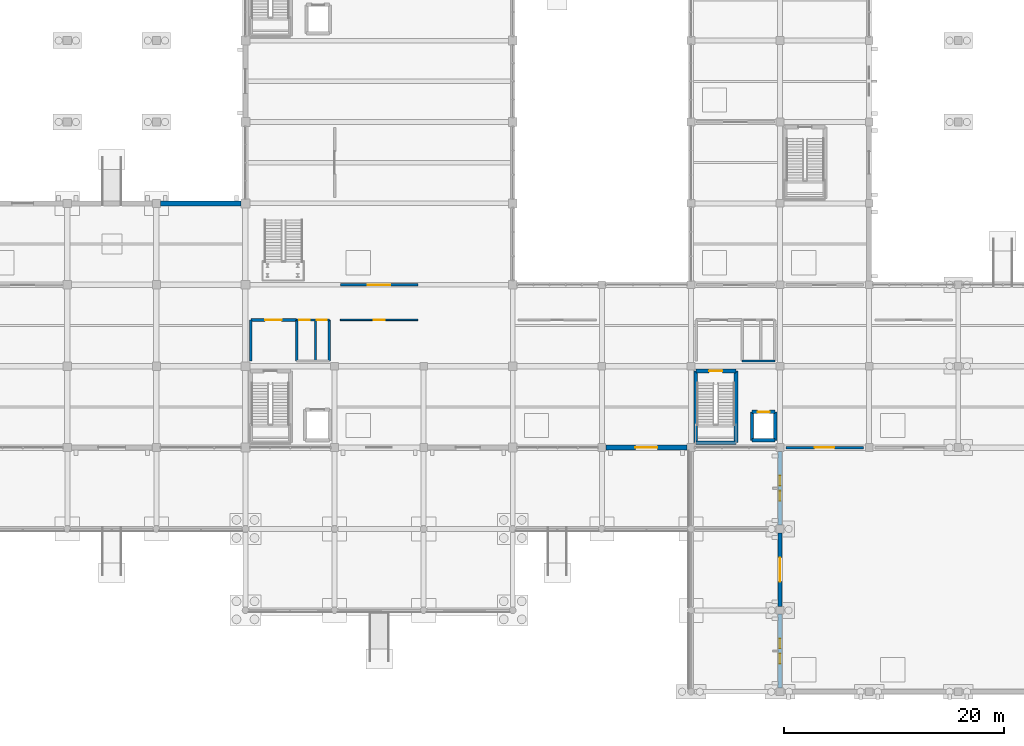
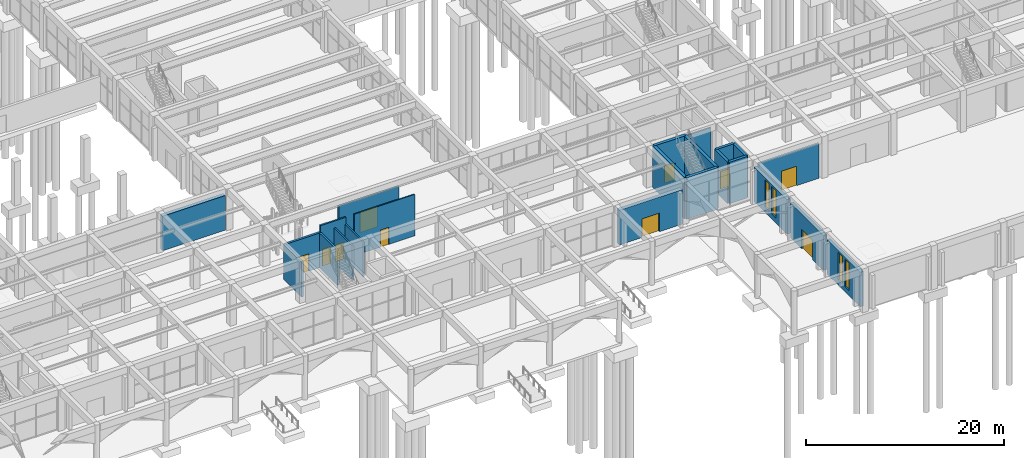
# One storey, part 125 of 140: 23 walls, 10 doors, 4 windows, 14 openings.
"""IFC4 building model written with IfcOpenShell, lengths in metres."""

from ifc_helpers import new_model, si_unit, direction, frame, frame_2d, origin, place, context, subcontext, project, spatial, rectangle, extrude, material, layer, layer_set, type_object, element, fill, save


model = new_model("IFC4")

# Units and contexts
model_context = context("Model", 3, precision=1e-05, world=origin(), true_north=direction((0.0, 1.0)))
body_context = subcontext(model_context, "Body", "Model", "MODEL_VIEW")
ifc_project = project(units=[si_unit("LENGTHUNIT", "METRE"), si_unit("AREAUNIT", "SQUARE_METRE"), si_unit("VOLUMEUNIT", "CUBIC_METRE"), si_unit("PLANEANGLEUNIT", "RADIAN"), si_unit("MASSUNIT", "GRAM", prefix="KILO")], contexts=[model_context])

# Site, building, storey
site_placement = place(None, origin())
site = spatial("IfcSite", under=ifc_project, at=site_placement, CompositionType="ELEMENT")
building_placement = place(site_placement, origin())
building = spatial("IfcBuilding", under=site, at=building_placement, Name="Cimatlan Art Gallery", CompositionType="ELEMENT")
storey_placement = place(building_placement, origin())
storey = spatial("IfcBuildingStorey", under=building, at=storey_placement, Name="L00", CompositionType="ELEMENT", Elevation=0.0)

# Walls
ifc_material_1 = material(Name="Concrete C40/50", Category="concrete")
ifc_layer_1 = layer(ifc_material_1, 0.31005859375)
ifc_layer_set_1 = layer_set([ifc_layer_1], Name="Concrete C40/50")
wall_type_1 = type_object("IfcWallType", Name="W-CORE-310", PredefinedType="SHEAR", material=ifc_layer_set_1)
wall_1_placement = place(storey_placement, frame((120.949951171875, 24.550048828125, 0.0), z_axis=(0.0, 0.0, 1.0), x_axis=(0.0, 1.0, 0.0)))
element("IfcWall", 1, at=wall_1_placement, inside=storey, type_object=wall_type_1, Name="WL-SHFT-C4-L00-LW", PredefinedType="SHEAR", context=body_context, shape_type="SweptSolid", body=[
    extrude(rectangle(XDim=2.599853515625, YDim=0.31005859375, at=frame_2d((1.2998046875, 0.0))), origin(), (0.0, 0.0, 1.0), 5.1298828125),
])
wall_2_placement = place(storey_placement, frame((120.949951171875, 24.550048828125, 0.0), z_axis=(0.0, 0.0, 1.0), x_axis=(1.0, 0.0, 0.0)))
element("IfcWall", 2, at=wall_2_placement, inside=storey, type_object=wall_type_1, Name="WL-SHFT-C4-L00-LS", PredefinedType="SHEAR", context=body_context, shape_type="SweptSolid", body=[
    extrude(rectangle(XDim=2.10009765625, YDim=0.31005859375, at=frame_2d((1.050048828125, 0.0))), origin(), (0.0, 0.0, 1.0), 5.1298828125),
])
wall_3_placement = place(storey_placement, frame((123.050048828125, 24.550048828125, 0.0), z_axis=(0.0, 0.0, 1.0), x_axis=(0.0, 1.0, 0.0)))
element("IfcWall", 3, at=wall_3_placement, inside=storey, type_object=wall_type_1, Name="WL-SHFT-C4-L00-LE", PredefinedType="SHEAR", context=body_context, shape_type="SweptSolid", body=[
    extrude(rectangle(XDim=2.599853515625, YDim=0.31005859375, at=frame_2d((1.2998046875, 0.0))), origin(), (0.0, 0.0, 1.0), 5.1298828125),
])

# Wall, opening, door
wall_4_placement = place(storey_placement, frame((120.949951171875, 27.14990234375, 0.0), z_axis=(0.0, 0.0, 1.0), x_axis=(1.0, 0.0, 0.0)))
wall_4 = element("IfcWall", 4, at=wall_4_placement, inside=storey, type_object=wall_type_1, Name="WL-SHFT-C4-L00-LN", PredefinedType="SHEAR", context=body_context, shape_type="SweptSolid", body=[
    extrude(rectangle(XDim=2.10009765625, YDim=0.31005859375, at=frame_2d((1.050048828125, 0.0))), origin(), (0.0, 0.0, 1.0), 5.1298828125),
])
opening_1_placement = place(wall_4_placement, frame((0.5, 0.0, 0.0)))
opening_1 = element("IfcOpeningElement", 5, at=opening_1_placement, cuts=wall_4, Name="Opening LD-C4-L00", PredefinedType="OPENING", context=body_context, shape_type="SweptSolid", body=[
    extrude(rectangle(XDim=1.10009765625, YDim=2.14990234375, at=frame_2d((0.550048828125, 1.074951171875))), frame((0.0, 0.1650390625, 0.0), z_axis=(0.0, -1.0, 0.0), x_axis=(1.0, 0.0, 0.0)), (0.0, 0.0, 1.0), 0.330078125),
])
ifc_material_2 = material(Name="Brushed bronze sliding lift landing door")
door_type_1 = type_object("IfcDoorType", Name="LD-PS-1100", OperationType="NOTDEFINED", PredefinedType="DOOR", material=ifc_material_2)
door_1_placement = place(opening_1_placement, origin())
door_1 = element("IfcDoor", 6, at=door_1_placement, inside=storey, type_object=door_type_1, Name="LD-PL-01-L00", OperationType="SLIDING_TO_RIGHT", OverallHeight=2.14990234375, OverallWidth=1.10009765625, PredefinedType="DOOR", context=body_context, shape_type="SweptSolid", body=[
    extrude(rectangle(XDim=1.10009765625, YDim=2.14990234375, at=frame_2d((0.550048828125, 1.074951171875))), frame((0.0, 0.02490234375, 0.0), z_axis=(0.0, -1.0, 0.0), x_axis=(1.0, 0.0, 0.0)), (0.0, 0.0, 1.0), 0.050048828125),
])
fill(opening_1, door_1)

# Walls
ifc_layer_2 = layer(ifc_material_1, 0.35009765625)
ifc_layer_set_2 = layer_set([ifc_layer_2], Name="Concrete C40/50")
wall_type_2 = type_object("IfcWallType", Name="W-CORE-350", PredefinedType="SHEAR", material=ifc_layer_set_2)
wall_5_placement = place(storey_placement, frame((115.840087890625, 24.340087890625, 0.0), z_axis=(0.0, 0.0, 1.0), x_axis=(0.0, 1.0, 0.0)))
element("IfcWall", 7, at=wall_5_placement, inside=storey, type_object=wall_type_2, Name="WL-CORE-C4-L00-SW", PredefinedType="SHEAR", context=body_context, shape_type="SweptSolid", body=[
    extrude(rectangle(XDim=6.52001953125, YDim=0.35009765625, at=frame_2d((3.260009765625, 0.0))), origin(), (0.0, 0.0, 1.0), 5.1298828125),
])
wall_6_placement = place(storey_placement, frame((115.840087890625, 24.340087890625, 0.0), z_axis=(0.0, 0.0, 1.0), x_axis=(1.0, 0.0, 0.0)))
element("IfcWall", 8, at=wall_6_placement, inside=storey, type_object=wall_type_2, Name="WL-CORE-C4-L00-SS", PredefinedType="SHEAR", context=body_context, shape_type="SweptSolid", body=[
    extrude(rectangle(XDim=3.639892578125, YDim=0.35009765625, at=frame_2d((1.81982421875, 0.0))), origin(), (0.0, 0.0, 1.0), 5.1298828125),
])
wall_7_placement = place(storey_placement, frame((119.47998046875, 24.340087890625, 0.0), z_axis=(0.0, 0.0, 1.0), x_axis=(0.0, 1.0, 0.0)))
element("IfcWall", 9, at=wall_7_placement, inside=storey, type_object=wall_type_2, Name="WL-CORE-C4-L00-SE", PredefinedType="SHEAR", context=body_context, shape_type="SweptSolid", body=[
    extrude(rectangle(XDim=6.52001953125, YDim=0.35009765625, at=frame_2d((3.260009765625, 0.0))), origin(), (0.0, 0.0, 1.0), 5.1298828125),
])

# Wall, opening, door
wall_8_placement = place(storey_placement, frame((115.840087890625, 30.860107421875, 0.0), z_axis=(0.0, 0.0, 1.0), x_axis=(1.0, 0.0, 0.0)))
wall_8 = element("IfcWall", 10, at=wall_8_placement, inside=storey, type_object=wall_type_2, Name="WL-CORE-C4-L00-SN", PredefinedType="SHEAR", context=body_context, shape_type="SweptSolid", body=[
    extrude(rectangle(XDim=3.639892578125, YDim=0.35009765625, at=frame_2d((1.81982421875, 0.0))), origin(), (0.0, 0.0, 1.0), 5.1298828125),
])
opening_2_placement = place(wall_8_placement, frame((1.219970703125, 0.0, 0.0)))
opening_2 = element("IfcOpeningElement", 11, at=opening_2_placement, cuts=wall_8, Name="Opening FD-C4-L00", PredefinedType="OPENING", context=body_context, shape_type="SweptSolid", body=[
    extrude(rectangle(XDim=1.199951171875, YDim=2.14990234375, at=frame_2d((0.60009765625, 1.074951171875))), frame((0.0, 0.18505859375, 0.0), z_axis=(0.0, -1.0, 0.0), x_axis=(1.0, 0.0, 0.0)), (0.0, 0.0, 1.0), 0.3701171875),
])
ifc_material_3 = material(Name="Fire-resisting steel acoustic stair door", Category="steel")
door_type_2 = type_object("IfcDoorType", Name="FD-ST-1200", OperationType="NOTDEFINED", PredefinedType="DOOR", material=ifc_material_3)
door_2_placement = place(opening_2_placement, origin())
door_2 = element("IfcDoor", 12, at=door_2_placement, inside=storey, type_object=door_type_2, Name="DR-C4-L00-ST", OperationType="SINGLE_SWING_LEFT", OverallHeight=2.14990234375, OverallWidth=1.199951171875, PredefinedType="DOOR", context=body_context, shape_type="SweptSolid", body=[
    extrude(rectangle(XDim=1.199951171875, YDim=2.14990234375, at=frame_2d((0.60009765625, 1.074951171875))), frame((0.0, 0.02490234375, 0.0), z_axis=(0.0, -1.0, 0.0), x_axis=(1.0, 0.0, 0.0)), (0.0, 0.0, 1.0), 0.050048828125),
])
fill(opening_2, door_2)

ifc_material_4 = material(Name="Precast concrete C40/50", Category="concrete")
ifc_layer_3 = layer(ifc_material_4, 0.2451171875)
ifc_layer_set_3 = layer_set([ifc_layer_3], Name="Precast concrete C40/50")
wall_type_3 = type_object("IfcWallType", Name="W-FFL-245", PredefinedType="PARTITIONING", material=ifc_layer_set_3)
wall_9_placement = place(storey_placement, frame((75.3798828125, 35.5, 0.0), z_axis=(0.0, 0.0, 1.0), x_axis=(1.0, 0.0, 0.0)))
wall_9 = element("IfcWall", 13, at=wall_9_placement, inside=storey, type_object=wall_type_3, Name="WL-LOB-C3-L00-N", PredefinedType="PARTITIONING", context=body_context, shape_type="SweptSolid", body=[
    extrude(rectangle(XDim=4.170166015625, YDim=0.2451171875, at=frame_2d((2.0849609375, 0.0))), origin(), (0.0, 0.0, 1.0), 4.27490234375),
])
opening_3_placement = place(wall_9_placement, frame((1.300048828125, 0.0, 0.0)))
opening_3 = element("IfcOpeningElement", 14, at=opening_3_placement, cuts=wall_9, Name="Opening FDL-C3-L00", PredefinedType="OPENING", context=body_context, shape_type="SweptSolid", body=[
    extrude(rectangle(XDim=1.5, YDim=2.14990234375, at=frame_2d((0.75, 1.074951171875))), frame((0.0, 0.132568359375, 0.0), z_axis=(0.0, -1.0, 0.0), x_axis=(1.0, 0.0, 0.0)), (0.0, 0.0, 1.0), 0.26513671875),
])
ifc_material_5 = material(Name="Fire-resisting double-seal lobby door")
door_type_3 = type_object("IfcDoorType", Name="FD-LB-1500", OperationType="NOTDEFINED", PredefinedType="DOOR", material=ifc_material_5)
door_3_placement = place(opening_3_placement, origin())
door_3 = element("IfcDoor", 15, at=door_3_placement, inside=storey, type_object=door_type_3, Name="DR-LOB-C3-L00", OperationType="SINGLE_SWING_RIGHT", OverallHeight=2.14990234375, OverallWidth=1.5, PredefinedType="DOOR", context=body_context, shape_type="SweptSolid", body=[
    extrude(rectangle(XDim=1.5, YDim=2.14990234375, at=frame_2d((0.75, 1.074951171875))), frame((0.0, 0.02490234375, 0.0), z_axis=(0.0, -1.0, 0.0), x_axis=(1.0, 0.0, 0.0)), (0.0, 0.0, 1.0), 0.050048828125),
])
fill(opening_3, door_3)

# Walls
for number, where, z_axis, x_axis, name in (
    (16, (75.3798828125, 31.780029296875, 0.0), (0.0, 0.0, 1.0), (0.0, 1.0, 0.0), "WL-LOB-C3-L00-W"),
    (17, (79.550048828125, 31.780029296875, 0.0), (0.0, 0.0, 1.0), (0.0, 1.0, 0.0), "WL-LOB-C3-L00-M"),
):
    element("IfcWall", number, at=place(storey_placement, frame(where, z_axis=z_axis, x_axis=x_axis)), inside=storey, type_object=wall_type_3, Name=name, PredefinedType="PARTITIONING", context=body_context, shape_type="SweptSolid", body=[
        extrude(rectangle(XDim=3.719970703125, YDim=0.2451171875, at=frame_2d((1.85986328125, 0.0))), origin(), (0.0, 0.0, 1.0), 4.27490234375),
    ])

# Wall, opening, door
ifc_material_6 = material(Name="Acoustic gypsum and steel stud partition", Category="steel")
ifc_layer_4 = layer(ifc_material_6, 0.22509765625)
ifc_layer_set_4 = layer_set([ifc_layer_4], Name="Acoustic gypsum and steel stud partition")
wall_type_4 = type_object("IfcWallType", Name="W-GAL-225", PredefinedType="PARTITIONING", material=ifc_layer_set_4)
wall_10_placement = place(storey_placement, frame((83.52001953125, 38.699951171875, 0.0), z_axis=(0.0, 0.0, 1.0), x_axis=(1.0, 0.0, 0.0)))
wall_10 = element("IfcWall", 18, at=wall_10_placement, inside=storey, type_object=wall_type_4, Name="WL-RM-L00-GAL-C1", PredefinedType="PARTITIONING", context=body_context, shape_type="SweptSolid", body=[
    extrude(rectangle(XDim=7.06005859375, YDim=0.22509765625, at=frame_2d((3.530029296875, 0.0))), origin(), (0.0, 0.0, 1.0), 4.197998046875),
])
opening_4_placement = place(wall_10_placement, frame((2.5048828125, 0.0, 0.0)))
opening_4 = element("IfcOpeningElement", 19, at=opening_4_placement, cuts=wall_10, Name="Opening DI-0182", PredefinedType="OPENING", context=body_context, shape_type="SweptSolid", body=[
    extrude(rectangle(XDim=2.050048828125, YDim=2.550048828125, at=frame_2d((1.02490234375, 1.27490234375))), frame((0.0, 0.12255859375, 0.0), z_axis=(0.0, -1.0, 0.0), x_axis=(1.0, 0.0, 0.0)), (0.0, 0.0, 1.0), 0.2451171875),
])
ifc_material_7 = material(Name="European oak and bronze gallery portal door")
door_type_4 = type_object("IfcDoorType", Name="DI-GL-2050", OperationType="NOTDEFINED", PredefinedType="DOOR", material=ifc_material_7)
door_4_placement = place(opening_4_placement, origin())
door_4 = element("IfcDoor", 20, at=door_4_placement, inside=storey, type_object=door_type_4, Name="DR-RM-L00-GAL-C1", OperationType="SINGLE_SWING_RIGHT", OverallHeight=2.550048828125, OverallWidth=2.050048828125, PredefinedType="DOOR", context=body_context, shape_type="SweptSolid", body=[
    extrude(rectangle(XDim=2.050048828125, YDim=2.550048828125, at=frame_2d((1.02490234375, 1.27490234375))), frame((0.0, 0.02490234375, 0.0), z_axis=(0.0, -1.0, 0.0), x_axis=(1.0, 0.0, 0.0)), (0.0, 0.0, 1.0), 0.050048828125),
])
fill(opening_4, door_4)

wall_11_placement = place(storey_placement, frame((124.02001953125, 23.89990234375, 0.0), z_axis=(0.0, 0.0, 1.0), x_axis=(1.0, 0.0, 0.0)))
wall_11 = element("IfcWall", 21, at=wall_11_placement, inside=storey, type_object=wall_type_4, Name="WL-RM-L00-AUD-FOY", PredefinedType="PARTITIONING", context=body_context, shape_type="SweptSolid", body=[
    extrude(rectangle(XDim=7.06005859375, YDim=0.22509765625, at=frame_2d((3.530029296875, 0.0))), origin(), (0.0, 0.0, 1.0), 4.27490234375),
])
opening_5_placement = place(wall_11_placement, frame((2.6298828125, 0.0, 0.0)))
opening_5 = element("IfcOpeningElement", 22, at=opening_5_placement, cuts=wall_11, Name="Opening DI-0187", PredefinedType="OPENING", context=body_context, shape_type="SweptSolid", body=[
    extrude(rectangle(XDim=1.800048828125, YDim=2.39990234375, at=frame_2d((0.89990234375, 1.199951171875))), frame((0.0, 0.12255859375, 0.0), z_axis=(0.0, -1.0, 0.0), x_axis=(1.0, 0.0, 0.0)), (0.0, 0.0, 1.0), 0.2451171875),
])
ifc_material_8 = material(Name="Acoustic timber auditorium door", Category="wood")
door_type_5 = type_object("IfcDoorType", Name="DI-AU-1800", OperationType="NOTDEFINED", PredefinedType="DOOR", material=ifc_material_8)
door_5_placement = place(opening_5_placement, origin())
door_5 = element("IfcDoor", 23, at=door_5_placement, inside=storey, type_object=door_type_5, Name="DR-RM-L00-AUD-FOY", OperationType="SINGLE_SWING_LEFT", OverallHeight=2.39990234375, OverallWidth=1.800048828125, PredefinedType="DOOR", context=body_context, shape_type="SweptSolid", body=[
    extrude(rectangle(XDim=1.800048828125, YDim=2.39990234375, at=frame_2d((0.89990234375, 1.199951171875))), frame((0.0, 0.02490234375, 0.0), z_axis=(0.0, -1.0, 0.0), x_axis=(1.0, 0.0, 0.0)), (0.0, 0.0, 1.0), 0.050048828125),
])
fill(opening_5, door_5)

ifc_material_9 = material(Name="Fire-rated gypsum board and steel stud partition", Category="steel")
ifc_layer_5 = layer(ifc_material_9, 0.139892578125)
ifc_layer_set_5 = layer_set([ifc_layer_5], Name="Fire-rated gypsum board and steel stud partition")
wall_type_5 = type_object("IfcWallType", Name="W-OFF-140", PredefinedType="PARTITIONING", material=ifc_layer_set_5)
wall_12_placement = place(storey_placement, frame((83.52001953125, 35.5, 0.0), z_axis=(0.0, 0.0, 1.0), x_axis=(1.0, 0.0, 0.0)))
wall_12 = element("IfcWall", 24, at=wall_12_placement, inside=storey, type_object=wall_type_5, Name="WL-RM-L00-SHP-01", PredefinedType="PARTITIONING", context=body_context, shape_type="SweptSolid", body=[
    extrude(rectangle(XDim=7.06005859375, YDim=0.139892578125, at=frame_2d((3.530029296875, 0.0))), origin(), (0.0, 0.0, 1.0), 5.1201171875),
])
opening_6_placement = place(wall_12_placement, frame((3.030029296875, 0.0, 0.0)))
opening_6 = element("IfcOpeningElement", 25, at=opening_6_placement, cuts=wall_12, Name="Opening DI-0185", PredefinedType="OPENING", context=body_context, shape_type="SweptSolid", body=[
    extrude(rectangle(XDim=1.0, YDim=2.1201171875, at=frame_2d((0.5, 1.06005859375))), frame((0.0, 0.080078125, 0.0), z_axis=(0.0, -1.0, 0.0), x_axis=(1.0, 0.0, 0.0)), (0.0, 0.0, 1.0), 0.159912109375),
])
ifc_material_10 = material(Name="Timber curatorial office door", Category="wood")
door_type_6 = type_object("IfcDoorType", Name="DI-OF-1000", OperationType="NOTDEFINED", PredefinedType="DOOR", material=ifc_material_10)
door_6_placement = place(opening_6_placement, origin())
door_6 = element("IfcDoor", 26, at=door_6_placement, inside=storey, type_object=door_type_6, Name="DR-RM-L00-SHP-01", OperationType="SINGLE_SWING_LEFT", OverallHeight=2.1201171875, OverallWidth=1.0, PredefinedType="DOOR", context=body_context, shape_type="SweptSolid", body=[
    extrude(rectangle(XDim=1.0, YDim=2.1201171875, at=frame_2d((0.5, 1.06005859375))), frame((0.0, 0.02490234375, 0.0), z_axis=(0.0, -1.0, 0.0), x_axis=(1.0, 0.0, 0.0)), (0.0, 0.0, 1.0), 0.050048828125),
])
fill(opening_6, door_6)

# Walls
ifc_material_11 = material(Name="Moisture-resistant fire-rated plumbing wall")
ifc_layer_6 = layer(ifc_material_11, 0.195068359375)
ifc_layer_set_6 = layer_set([ifc_layer_6], Name="Moisture-resistant fire-rated plumbing wall")
wall_type_6 = type_object("IfcWallType", Name="W-PLM-195", PredefinedType="PARTITIONING", material=ifc_layer_set_6)
for number, where, z_axis, x_axis, name in (
    (27, (81.25, 31.780029296875, 0.0), (0.0, 0.0, 1.0), (0.0, 1.0, 0.0), "WL-LOB-C3-L00-D"),
    (28, (82.52001953125, 31.780029296875, 0.0), (0.0, 0.0, 1.0), (0.0, 1.0, 0.0), "WL-LOB-C3-L00-E"),
):
    element("IfcWall", number, at=place(storey_placement, frame(where, z_axis=z_axis, x_axis=x_axis)), inside=storey, type_object=wall_type_6, Name=name, PredefinedType="PARTITIONING", context=body_context, shape_type="SweptSolid", body=[
        extrude(rectangle(XDim=3.719970703125, YDim=0.195068359375, at=frame_2d((1.85986328125, 0.0))), origin(), (0.0, 0.0, 1.0), 4.27490234375),
    ])

# Wall, openings, doors
wall_13_placement = place(storey_placement, frame((79.550048828125, 35.5, 0.0), z_axis=(0.0, 0.0, 1.0), x_axis=(1.0, 0.0, 0.0)))
wall_13 = element("IfcWall", 29, at=wall_13_placement, inside=storey, type_object=wall_type_6, Name="WL-WC-C3-L00-N", PredefinedType="PARTITIONING", context=body_context, shape_type="SweptSolid", body=[
    extrude(rectangle(XDim=2.969970703125, YDim=0.195068359375, at=frame_2d((1.48486328125, 0.0))), origin(), (0.0, 0.0, 1.0), 5.1201171875),
])
opening_7_placement = place(wall_13_placement, frame((0.25, 0.0, 0.0)))
opening_7 = element("IfcOpeningElement", 30, at=opening_7_placement, cuts=wall_13, Name="Opening DWC-C3A-L00", PredefinedType="OPENING", context=body_context, shape_type="SweptSolid", body=[
    extrude(rectangle(XDim=0.949951171875, YDim=2.10009765625, at=frame_2d((0.47509765625, 1.050048828125))), frame((0.0, 0.107421875, 0.0), z_axis=(0.0, -1.0, 0.0), x_axis=(1.0, 0.0, 0.0)), (0.0, 0.0, 1.0), 0.215087890625),
])
opening_8_placement = place(wall_13_placement, frame((1.820068359375, 0.0, 0.0)))
opening_8 = element("IfcOpeningElement", 31, at=opening_8_placement, cuts=wall_13, Name="Opening DWC-C3B-L00", PredefinedType="OPENING", context=body_context, shape_type="SweptSolid", body=[
    extrude(rectangle(XDim=0.89990234375, YDim=2.10009765625, at=frame_2d((0.449951171875, 1.050048828125))), frame((0.0, 0.107421875, 0.0), z_axis=(0.0, -1.0, 0.0), x_axis=(1.0, 0.0, 0.0)), (0.0, 0.0, 1.0), 0.215087890625),
])
ifc_material_12 = material(Name="Sanitary room door")
door_type_7 = type_object("IfcDoorType", Name="DI-WC-0900", OperationType="NOTDEFINED", PredefinedType="DOOR", material=ifc_material_12)
door_7_placement = place(opening_8_placement, origin())
door_7 = element("IfcDoor", 32, at=door_7_placement, inside=storey, type_object=door_type_7, Name="DR-PWC-C3-L00", OperationType="SINGLE_SWING_RIGHT", OverallHeight=2.10009765625, OverallWidth=0.89990234375, PredefinedType="DOOR", context=body_context, shape_type="SweptSolid", body=[
    extrude(rectangle(XDim=0.89990234375, YDim=2.10009765625, at=frame_2d((0.449951171875, 1.050048828125))), frame((0.0, 0.02490234375, 0.0), z_axis=(0.0, -1.0, 0.0), x_axis=(1.0, 0.0, 0.0)), (0.0, 0.0, 1.0), 0.050048828125),
])
fill(opening_8, door_7)
ifc_material_13 = material(Name="Accessible sanitary room door")
door_type_8 = type_object("IfcDoorType", Name="DI-WC-0950", OperationType="NOTDEFINED", PredefinedType="DOOR", material=ifc_material_13)
door_8_placement = place(opening_7_placement, origin())
door_8 = element("IfcDoor", 33, at=door_8_placement, inside=storey, type_object=door_type_8, Name="DR-AWC-C3-L00", OperationType="SINGLE_SWING_LEFT", OverallHeight=2.10009765625, OverallWidth=0.949951171875, PredefinedType="DOOR", context=body_context, shape_type="SweptSolid", body=[
    extrude(rectangle(XDim=0.949951171875, YDim=2.10009765625, at=frame_2d((0.47509765625, 1.050048828125))), frame((0.0, 0.02490234375, 0.0), z_axis=(0.0, -1.0, 0.0), x_axis=(1.0, 0.0, 0.0)), (0.0, 0.0, 1.0), 0.050048828125),
])
fill(opening_7, door_8)

# Wall
wall_14_placement = place(storey_placement, frame((120.050048828125, 31.780029296875, 0.0), z_axis=(0.0, 0.0, 1.0), x_axis=(1.0, 0.0, 0.0)))
element("IfcWall", 34, at=wall_14_placement, inside=storey, type_object=wall_type_6, Name="WL-LOB-C4-L00-S", PredefinedType="PARTITIONING", context=body_context, shape_type="SweptSolid", body=[
    extrude(rectangle(XDim=2.969970703125, YDim=0.195068359375, at=frame_2d((1.48486328125, 0.0))), origin(), (0.0, 0.0, 1.0), 4.27490234375),
])

# Wall, openings, windows
ifc_layer_7 = layer(ifc_material_4, 0.385009765625)
ifc_layer_set_7 = layer_set([ifc_layer_7], Name="Precast concrete C40/50")
wall_type_7 = type_object("IfcWallType", Name="WL-EXT-AUD-385", PredefinedType="SOLIDWALL", material=ifc_layer_set_7)
wall_15_placement = place(storey_placement, frame((123.5, 2.053955078125, 0.0), z_axis=(0.0, 0.0, 1.0), x_axis=(0.0, 1.0, 0.0)))
wall_15 = element("IfcWall", 35, at=wall_15_placement, inside=storey, type_object=wall_type_7, Name="WL-EXT-L00-15-00-W", PredefinedType="SOLIDWALL", context=body_context, shape_type="SweptSolid", body=[
    extrude(rectangle(XDim=6.692138671875, YDim=0.385009765625, at=frame_2d((3.34619140625, 0.0))), origin(), (0.0, 0.0, 1.0), 4.27001953125),
])
opening_9_placement = place(wall_15_placement, frame((2.2060546875, 0.0, 0.64990234375)))
opening_9 = element("IfcOpeningElement", 36, at=opening_9_placement, cuts=wall_15, Name="Opening WN-0043", PredefinedType="OPENING", context=body_context, shape_type="SweptSolid", body=[
    extrude(rectangle(XDim=0.89990234375, YDim=3.39990234375, at=frame_2d((0.449951171875, 1.699951171875))), frame((0.0, 0.20263671875, 0.0), z_axis=(0.0, -1.0, 0.0), x_axis=(1.0, 0.0, 0.0)), (0.0, 0.0, 1.0), 0.405029296875),
])
opening_10_placement = place(wall_15_placement, frame((3.5859375, 0.0, 0.64990234375)))
opening_10 = element("IfcOpeningElement", 37, at=opening_10_placement, cuts=wall_15, Name="Opening WN-0044", PredefinedType="OPENING", context=body_context, shape_type="SweptSolid", body=[
    extrude(rectangle(XDim=0.89990234375, YDim=3.39990234375, at=frame_2d((0.449951171875, 1.699951171875))), frame((0.0, 0.20263671875, 0.0), z_axis=(0.0, -1.0, 0.0), x_axis=(1.0, 0.0, 0.0)), (0.0, 0.0, 1.0), 0.405029296875),
])
ifc_material_14 = material(Name="Low-E laminated double glazing in bronze lancet frame", Category="glass")
window_type = type_object("IfcWindowType", Name="WIN-W-L00-0900X3400", PartitioningType="SINGLE_PANEL", PredefinedType="WINDOW", material=ifc_material_14)
window_1_placement = place(opening_9_placement, origin())
window_1 = element("IfcWindow", 38, at=window_1_placement, inside=storey, type_object=window_type, Name="WIN-0043", OverallHeight=3.39990234375, OverallWidth=0.89990234375, PartitioningType="SINGLE_PANEL", PredefinedType="WINDOW", context=body_context, shape_type="SweptSolid", body=[
    extrude(rectangle(XDim=0.89990234375, YDim=3.39990234375, at=frame_2d((0.449951171875, 1.699951171875))), frame((0.0, 0.030029296875, 0.0), z_axis=(0.0, -1.0, 0.0), x_axis=(1.0, 0.0, 0.0)), (0.0, 0.0, 1.0), 0.06005859375),
])
fill(opening_9, window_1)
window_2_placement = place(opening_10_placement, origin())
window_2 = element("IfcWindow", 39, at=window_2_placement, inside=storey, type_object=window_type, Name="WIN-0044", OverallHeight=3.39990234375, OverallWidth=0.89990234375, PartitioningType="SINGLE_PANEL", PredefinedType="WINDOW", context=body_context, shape_type="SweptSolid", body=[
    extrude(rectangle(XDim=0.89990234375, YDim=3.39990234375, at=frame_2d((0.449951171875, 1.699951171875))), frame((0.0, 0.030029296875, 0.0), z_axis=(0.0, -1.0, 0.0), x_axis=(1.0, 0.0, 0.0)), (0.0, 0.0, 1.0), 0.06005859375),
])
fill(opening_10, window_2)

# Wall, opening, door
wall_16_placement = place(storey_placement, frame((123.5, 9.4541015625, 0.0), z_axis=(0.0, 0.0, 1.0), x_axis=(0.0, 1.0, 0.0)))
wall_16 = element("IfcWall", 40, at=wall_16_placement, inside=storey, type_object=wall_type_7, Name="WL-EXT-L00-15-01-W", PredefinedType="SOLIDWALL", context=body_context, shape_type="SweptSolid", body=[
    extrude(rectangle(XDim=6.69189453125, YDim=0.385009765625, at=frame_2d((3.345947265625, 0.0))), origin(), (0.0, 0.0, 1.0), 4.294921875),
])
opening_11_placement = place(wall_16_placement, frame((2.24609375, 0.0, 0.0)))
opening_11 = element("IfcOpeningElement", 41, at=opening_11_placement, cuts=wall_16, Name="Opening D-L00-E07", PredefinedType="OPENING", context=body_context, shape_type="SweptSolid", body=[
    extrude(rectangle(XDim=2.199951171875, YDim=2.39990234375, at=frame_2d((1.10009765625, 1.199951171875))), frame((0.0, 0.20263671875, 0.0), z_axis=(0.0, -1.0, 0.0), x_axis=(1.0, 0.0, 0.0)), (0.0, 0.0, 1.0), 0.405029296875),
])
ifc_material_15 = material(Name="Anodised bronze and laminated safety glass door", Category="glass")
door_type_9 = type_object("IfcDoorType", Name="DE-EX-2200", OperationType="NOTDEFINED", PredefinedType="DOOR", material=ifc_material_15)
door_9_placement = place(opening_11_placement, origin())
door_9 = element("IfcDoor", 42, at=door_9_placement, inside=storey, type_object=door_type_9, Name="D-L00-E07", OperationType="DOUBLE_SWING_LEFT", OverallHeight=2.39990234375, OverallWidth=2.199951171875, PredefinedType="DOOR", context=body_context, shape_type="SweptSolid", body=[
    extrude(rectangle(XDim=2.199951171875, YDim=2.39990234375, at=frame_2d((1.10009765625, 1.199951171875))), frame((0.0, 0.02490234375, 0.0), z_axis=(0.0, -1.0, 0.0), x_axis=(1.0, 0.0, 0.0)), (0.0, 0.0, 1.0), 0.050048828125),
])
fill(opening_11, door_9)

# Wall, openings, windows
wall_17_placement = place(storey_placement, frame((123.5, 16.85400390625, 0.0), z_axis=(0.0, 0.0, 1.0), x_axis=(0.0, 1.0, 0.0)))
wall_17 = element("IfcWall", 43, at=wall_17_placement, inside=storey, type_object=wall_type_7, Name="WL-EXT-L00-15-02-W", PredefinedType="SOLIDWALL", context=body_context, shape_type="SweptSolid", body=[
    extrude(rectangle(XDim=6.69189453125, YDim=0.385009765625, at=frame_2d((3.345947265625, 0.0))), origin(), (0.0, 0.0, 1.0), 4.27001953125),
])
opening_12_placement = place(wall_17_placement, frame((2.2060546875, 0.0, 0.64990234375)))
opening_12 = element("IfcOpeningElement", 44, at=opening_12_placement, cuts=wall_17, Name="Opening WN-0045", PredefinedType="OPENING", context=body_context, shape_type="SweptSolid", body=[
    extrude(rectangle(XDim=0.89990234375, YDim=3.39990234375, at=frame_2d((0.449951171875, 1.699951171875))), frame((0.0, 0.20263671875, 0.0), z_axis=(0.0, -1.0, 0.0), x_axis=(1.0, 0.0, 0.0)), (0.0, 0.0, 1.0), 0.405029296875),
])
opening_13_placement = place(wall_17_placement, frame((3.5859375, 0.0, 0.64990234375)))
opening_13 = element("IfcOpeningElement", 45, at=opening_13_placement, cuts=wall_17, Name="Opening WN-0046", PredefinedType="OPENING", context=body_context, shape_type="SweptSolid", body=[
    extrude(rectangle(XDim=0.89990234375, YDim=3.39990234375, at=frame_2d((0.449951171875, 1.699951171875))), frame((0.0, 0.20263671875, 0.0), z_axis=(0.0, -1.0, 0.0), x_axis=(1.0, 0.0, 0.0)), (0.0, 0.0, 1.0), 0.405029296875),
])
window_3_placement = place(opening_12_placement, origin())
window_3 = element("IfcWindow", 46, at=window_3_placement, inside=storey, type_object=window_type, Name="WIN-0045", OverallHeight=3.39990234375, OverallWidth=0.89990234375, PartitioningType="SINGLE_PANEL", PredefinedType="WINDOW", context=body_context, shape_type="SweptSolid", body=[
    extrude(rectangle(XDim=0.89990234375, YDim=3.39990234375, at=frame_2d((0.449951171875, 1.699951171875))), frame((0.0, 0.030029296875, 0.0), z_axis=(0.0, -1.0, 0.0), x_axis=(1.0, 0.0, 0.0)), (0.0, 0.0, 1.0), 0.06005859375),
])
fill(opening_12, window_3)
window_4_placement = place(opening_13_placement, origin())
window_4 = element("IfcWindow", 47, at=window_4_placement, inside=storey, type_object=window_type, Name="WIN-0046", OverallHeight=3.39990234375, OverallWidth=0.89990234375, PartitioningType="SINGLE_PANEL", PredefinedType="WINDOW", context=body_context, shape_type="SweptSolid", body=[
    extrude(rectangle(XDim=0.89990234375, YDim=3.39990234375, at=frame_2d((0.449951171875, 1.699951171875))), frame((0.0, 0.030029296875, 0.0), z_axis=(0.0, -1.0, 0.0), x_axis=(1.0, 0.0, 0.0)), (0.0, 0.0, 1.0), 0.06005859375),
])
fill(opening_13, window_4)

# Wall
ifc_layer_8 = layer(ifc_material_4, 0.43994140625)
ifc_layer_set_8 = layer_set([ifc_layer_8], Name="Precast concrete C40/50")
wall_type_8 = type_object("IfcWallType", Name="WL-EXT-CAN-440", PredefinedType="SOLIDWALL", material=ifc_layer_set_8)
wall_18_placement = place(storey_placement, frame((67.178955078125, 46.10009765625, 0.0), z_axis=(0.0, 0.0, 1.0), x_axis=(1.0, 0.0, 0.0)))
element("IfcWall", 48, at=wall_18_placement, inside=storey, type_object=wall_type_8, Name="WL-EXT-L00-08-05-N", PredefinedType="SOLIDWALL", context=body_context, shape_type="SweptSolid", body=[
    extrude(rectangle(XDim=7.317138671875, YDim=0.43994140625, at=frame_2d((3.65869140625, 0.0))), origin(), (0.0, 0.0, 1.0), 4.27001953125),
])

# Wall, opening, door
wall_19_placement = place(storey_placement, frame((115.0458984375, 23.89990234375, 0.0), z_axis=(0.0, 0.0, 1.0), x_axis=(-1.0, 0.0, 0.0)))
wall_19 = element("IfcWall", 49, at=wall_19_placement, inside=storey, type_object=wall_type_8, Name="WL-EXT-L00-13-03-S", PredefinedType="SOLIDWALL", context=body_context, shape_type="SweptSolid", body=[
    extrude(rectangle(XDim=7.391845703125, YDim=0.43994140625, at=frame_2d((3.69580078125, 0.0))), origin(), (0.0, 0.0, 1.0), 4.27001953125),
])
opening_14_placement = place(wall_19_placement, frame((2.696044921875, 0.0, 0.0)))
opening_14 = element("IfcOpeningElement", 50, at=opening_14_placement, cuts=wall_19, Name="Opening D-L00-E06", PredefinedType="OPENING", context=body_context, shape_type="SweptSolid", body=[
    extrude(rectangle(XDim=2.0, YDim=2.300048828125, at=frame_2d((1.0, 1.14990234375))), frame((0.0, 0.22998046875, 0.0), z_axis=(0.0, -1.0, 0.0), x_axis=(1.0, 0.0, 0.0)), (0.0, 0.0, 1.0), 0.4599609375),
])
door_type_10 = type_object("IfcDoorType", Name="DE-EX-2000", OperationType="NOTDEFINED", PredefinedType="DOOR", material=ifc_material_15)
door_10_placement = place(opening_14_placement, origin())
door_10 = element("IfcDoor", 51, at=door_10_placement, inside=storey, type_object=door_type_10, Name="D-L00-E06", OperationType="DOUBLE_SWING_LEFT", OverallHeight=2.300048828125, OverallWidth=2.0, PredefinedType="DOOR", context=body_context, shape_type="SweptSolid", body=[
    extrude(rectangle(XDim=2.0, YDim=2.300048828125, at=frame_2d((1.0, 1.14990234375))), frame((0.0, 0.02490234375, 0.0), z_axis=(0.0, -1.0, 0.0), x_axis=(1.0, 0.0, 0.0)), (0.0, 0.0, 1.0), 0.050048828125),
])
fill(opening_14, door_10)

save(model, "model.ifc")
